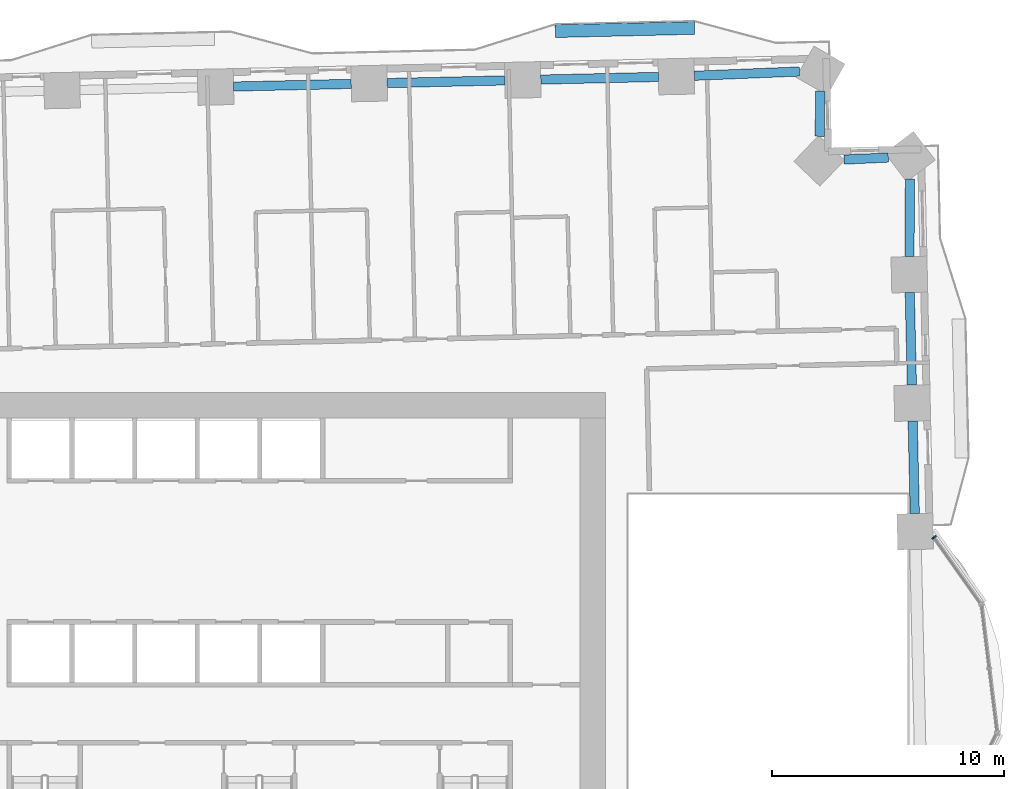
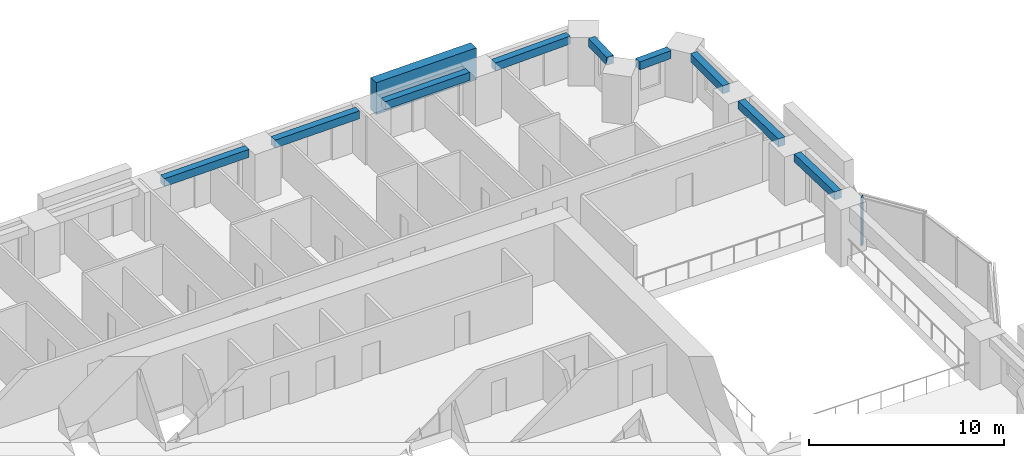
# One storey, part 2 of 16: 9 beams, 2 members, 1 element without a shape of its own.
"""IFC4 building model written with IfcOpenShell, lengths in metres."""

from ifc_helpers import new_model, si_unit, direction, frame, origin, origin_2d, place, context, subcontext, project, spatial, rectangle, extrude, material, material_profile, profile_set, type_object, element, aggregate, save


model = new_model("IFC4")

# Units and contexts
model_context = context("Model", 3, precision=1e-05, world=origin(), true_north=direction((0.0, 1.0)))
body_context = subcontext(model_context, "Body", "Model", "MODEL_VIEW")
ifc_project = project(units=[si_unit("LENGTHUNIT", "METRE"), si_unit("AREAUNIT", "SQUARE_METRE"), si_unit("VOLUMEUNIT", "CUBIC_METRE"), si_unit("PLANEANGLEUNIT", "RADIAN"), si_unit("MASSUNIT", "GRAM", prefix="KILO")], contexts=[model_context])

# Site, building, storey
site_placement = place(None, origin())
site = spatial("IfcSite", under=ifc_project, at=site_placement, CompositionType="ELEMENT")
building_placement = place(site_placement, origin())
building = spatial("IfcBuilding", under=site, at=building_placement, Name="Mangrove Gate Tower", CompositionType="ELEMENT")
storey_placement = place(building_placement, frame((0.0, 0.0, 37.699951171875)))
storey = spatial("IfcBuildingStorey", under=building, at=storey_placement, Name="L08", CompositionType="ELEMENT", Elevation=37.699951171875)

# Curtain wall, member
ifc_material_1 = material(Name="Aluminium and glass curtain wall", Category="aluminium")
curtain_wall_type = type_object("IfcCurtainWallType", Name="Atrium garden-court glazing wall", PredefinedType="NOTDEFINED", material=ifc_material_1)
curtain_wall_placement = place(storey_placement, origin())
curtain_wall = element("IfcCurtainWall", 1, at=curtain_wall_placement, inside=storey, type_object=curtain_wall_type, Name="Atrium garden-court glazing E1f3", PredefinedType="NOTDEFINED")
ifc_material_2 = material(Name="Aluminium alloy 6063-T6", Category="aluminium")
ifc_material_profile_1 = material_profile(ifc_material_2, rectangle(XDim=0.070068359375, YDim=0.199951171875, at=origin_2d()))
ifc_profile_set_1 = profile_set([ifc_material_profile_1], Name="Aluminium alloy 6063-T6")
member_type_1 = type_object("IfcMemberType", Name="Atrium garden-court glazing mullion 70x200", PredefinedType="MULLION", material=ifc_profile_set_1)
member_1_placement = place(storey_placement, frame((29.07177734375, 5.64892578125, 0.0), z_axis=(0.0, 0.0, 1.0), x_axis=(-0.578122631637, 0.815949889877, 0.0)))
member_1 = element("IfcMember", 2, at=member_1_placement, type_object=member_type_1, Name="CWA mullion 2", PredefinedType="MULLION", context=body_context, shape_type="SweptSolid", body=[
    extrude(rectangle(XDim=0.070068359375, YDim=0.199951171875, at=origin_2d()), origin(), (0.0, 0.0, 1.0), 3.050048828125),
])
aggregate(curtain_wall, [member_1])

# Member
ifc_material_3 = material(Name="Planting on aluminium trellis", Category="aluminium")
ifc_material_profile_2 = material_profile(ifc_material_3, rectangle(XDim=0.550048828125, YDim=2.0, at=origin_2d()))
ifc_profile_set_2 = profile_set([ifc_material_profile_2], Name="Planting on aluminium trellis")
member_type_2 = type_object("IfcMemberType", Name="Balcony greenery screen 550x2000", PredefinedType="USERDEFINED", material=ifc_profile_set_2)
member_2_placement = place(storey_placement, frame((12.742919921875, 27.48193359375, 1.800048828125), z_axis=(0.999739477659, 0.022824916448, 0.0), x_axis=(-0.022824916448, 0.999739477659, 0.0)))
element("IfcMember", 3, at=member_2_placement, inside=storey, type_object=member_type_2, Name="GREEN SCREEN L08 N0.1", ObjectType="PLANTING", PredefinedType="USERDEFINED", context=body_context, shape_type="SweptSolid", body=[
    extrude(rectangle(XDim=0.550048828125, YDim=2.0, at=origin_2d()), origin(), (0.0, 0.0, 1.0), 6.00048828125),
])

# Beams
ifc_material_4 = material(Name="Concrete C50/60", Category="concrete")
ifc_material_profile_3 = material_profile(ifc_material_4, rectangle(XDim=0.39990234375, YDim=0.5, at=origin_2d()))
ifc_profile_set_3 = profile_set([ifc_material_profile_3], Name="Concrete C50/60")
beam_type = type_object("IfcBeamType", Name="Edge beam RC 400x500 C50/60", PredefinedType="BEAM", material=ifc_profile_set_3)
beam_1_placement = place(storey_placement, frame((28.24365234375, 6.67919921875, 2.800048828125), z_axis=(-0.022753361423, 0.99974110876, 0.0), x_axis=(-0.99974110876, -0.022753361423, 0.0)))
element("IfcBeam", 4, at=beam_1_placement, inside=storey, type_object=beam_type, Name="Edge beam L08 18", PredefinedType="BEAM", context=body_context, shape_type="SweptSolid", body=[
    extrude(rectangle(XDim=0.39990234375, YDim=0.5, at=origin_2d()), origin(), (0.0, 0.0, 1.0), 3.991455078125),
])
beam_2_placement = place(storey_placement, frame((28.11767578125, 12.21923828125, 2.800048828125), z_axis=(-0.022564441197, 0.999745390584, 0.0), x_axis=(-0.999745390584, -0.022564441197, 0.0)))
element("IfcBeam", 5, at=beam_2_placement, inside=storey, type_object=beam_type, Name="Edge beam L08 19", PredefinedType="BEAM", context=body_context, shape_type="SweptSolid", body=[
    extrude(rectangle(XDim=0.39990234375, YDim=0.5, at=origin_2d()), origin(), (0.0, 0.0, 1.0), 3.992431640625),
])
beam_3_placement = place(storey_placement, frame((28.014892578125, 17.7607421875, 2.800048828125), z_axis=(0.006070689773, 0.999981573193, 0.0), x_axis=(-0.999981573193, 0.006070689773, 0.0)))
element("IfcBeam", 6, at=beam_3_placement, inside=storey, type_object=beam_type, Name="Edge beam L08 20", PredefinedType="BEAM", context=body_context, shape_type="SweptSolid", body=[
    extrude(rectangle(XDim=0.39990234375, YDim=0.5, at=origin_2d()), origin(), (0.0, 0.0, 1.0), 3.337890625),
])
beam_4_placement = place(storey_placement, frame((27.102294921875, 22.03125, 2.800048828125), z_axis=(-0.99890541483, -0.046775765331, 0.0), x_axis=(0.046775765331, -0.99890541483, 0.0)))
element("IfcBeam", 7, at=beam_4_placement, inside=storey, type_object=beam_type, Name="Edge beam L08 21", PredefinedType="BEAM", context=body_context, shape_type="SweptSolid", body=[
    extrude(rectangle(XDim=0.39990234375, YDim=0.5, at=origin_2d()), origin(), (0.0, 0.0, 1.0), 1.910400390625),
])
beam_5_placement = place(storey_placement, frame((24.140625, 22.9482421875, 2.800048828125), z_axis=(0.015187803628, 0.999884658659, 0.0), x_axis=(-0.999884658659, 0.015187803628, 0.0)))
element("IfcBeam", 8, at=beam_5_placement, inside=storey, type_object=beam_type, Name="Edge beam L08 22", PredefinedType="BEAM", context=body_context, shape_type="SweptSolid", body=[
    extrude(rectangle(XDim=0.39990234375, YDim=0.5, at=origin_2d()), origin(), (0.0, 0.0, 1.0), 1.945068359375),
])
beam_6_placement = place(storey_placement, frame((23.26904296875, 25.741455078125, 2.800048828125), z_axis=(-0.99917791823, -0.040539952176, 0.0), x_axis=(0.040539952176, -0.99917791823, 0.0)))
element("IfcBeam", 9, at=beam_6_placement, inside=storey, type_object=beam_type, Name="Edge beam L08 23", PredefinedType="BEAM", context=body_context, shape_type="SweptSolid", body=[
    extrude(rectangle(XDim=0.39990234375, YDim=0.5, at=origin_2d()), origin(), (0.0, 0.0, 1.0), 4.53466796875),
])
beam_7_placement = place(storey_placement, frame((17.188720703125, 25.508544921875, 2.800048828125), z_axis=(-0.999739944427, -0.02280446264, 0.0), x_axis=(0.02280446264, -0.999739944427, 0.0)))
element("IfcBeam", 10, at=beam_7_placement, inside=storey, type_object=beam_type, Name="Edge beam L08 24", PredefinedType="BEAM", context=body_context, shape_type="SweptSolid", body=[
    extrude(rectangle(XDim=0.39990234375, YDim=0.5, at=origin_2d()), origin(), (0.0, 0.0, 1.0), 5.074462890625),
])
beam_8_placement = place(storey_placement, frame((10.56591796875, 25.357666015625, 2.800048828125), z_axis=(-0.999743348065, -0.022654756648, 0.0), x_axis=(0.022654756648, -0.999743348065, 0.0)))
element("IfcBeam", 11, at=beam_8_placement, inside=storey, type_object=beam_type, Name="Edge beam L08 25", PredefinedType="BEAM", context=body_context, shape_type="SweptSolid", body=[
    extrude(rectangle(XDim=0.39990234375, YDim=0.5, at=origin_2d()), origin(), (0.0, 0.0, 1.0), 5.07568359375),
])
beam_9_placement = place(storey_placement, frame((3.941650390625, 25.207763671875, 2.800048828125), z_axis=(-0.999743224589, -0.022660204946, 0.0), x_axis=(0.022660204946, -0.999743224589, 0.0)))
element("IfcBeam", 12, at=beam_9_placement, inside=storey, type_object=beam_type, Name="Edge beam L08 26", PredefinedType="BEAM", context=body_context, shape_type="SweptSolid", body=[
    extrude(rectangle(XDim=0.39990234375, YDim=0.5, at=origin_2d()), origin(), (0.0, 0.0, 1.0), 5.074462890625),
])

save(model, "model.ifc")
